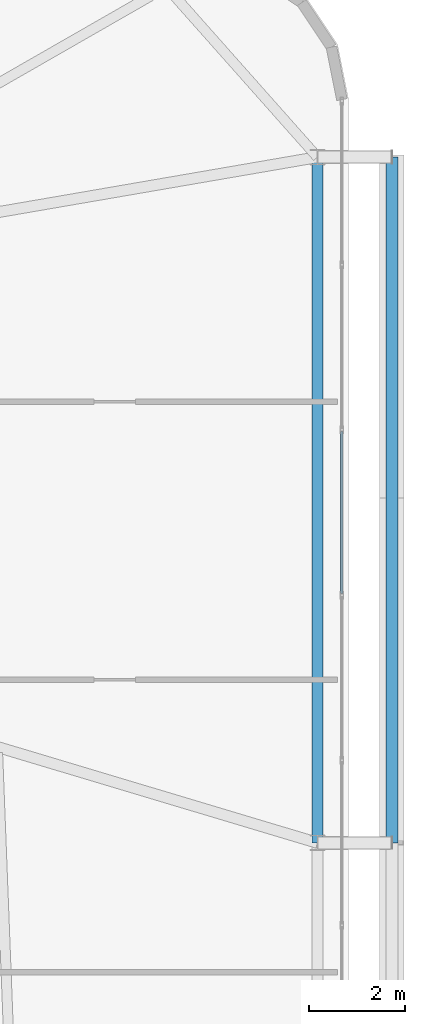
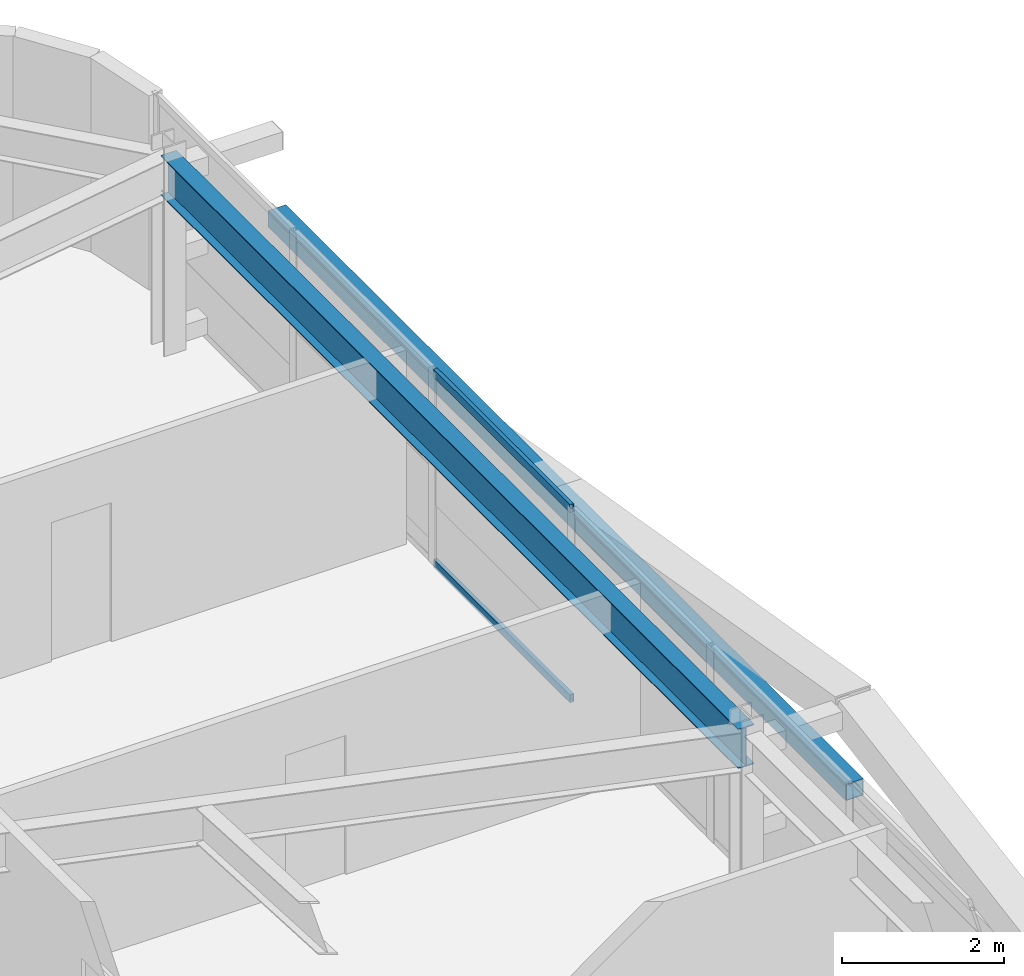
# One storey, part 31 of 59: 3 members, 1 beam, 1 element without a shape of its own.
"""IFC4 building model written with IfcOpenShell, lengths in metres."""

import ifcopenshell
import ifcopenshell.guid

model = None  # the IFC model being written
_history = None  # IfcOwnerHistory: only IFC2X3 demands one
_inside = {}  # id of a spatial element -> (the spatial element, [elements in it])
_under = {}  # id of a project, library or spatial element -> (it, [spatial elements below it])
_declared = {}  # id of a project -> (the project, [libraries it declares])
_typed = {}  # id of a type object -> (the type object, [elements of that type])
_made_of = {}  # id of a material, layer set ... -> (it, [elements and type objects made of it])


def new_model(schema):
    """Start an empty IFC model of exactly this schema.

    Asked for "IFC4X3", IfcOpenShell would pick the latest addendum, in which some entities
    have other attributes; the version numbers below select the first issue.
    IFC2X3 requires an IfcOwnerHistory on every rooted entity: one is made here for all.
    """
    global model, _history
    if schema == "IFC4X3":
        model = ifcopenshell.file(schema_version=(4, 3, 0, 0))
    else:
        model = ifcopenshell.file(schema=schema)
    _inside.clear()
    _under.clear()
    _declared.clear()
    _typed.clear()
    _made_of.clear()
    _history = None
    if model.schema == "IFC2X3":
        org = make("IfcOrganization", Name="unknown")
        user = make(
            "IfcPersonAndOrganization",
            ThePerson=make("IfcPerson", FamilyName="unknown"),
            TheOrganization=org,
        )
        app = make(
            "IfcApplication",
            ApplicationDeveloper=org,
            Version="unknown",
            ApplicationFullName="unknown",
            ApplicationIdentifier="unknown",
        )
        _history = make(
            "IfcOwnerHistory",
            OwningUser=user,
            OwningApplication=app,
            ChangeAction="ADDED",
            CreationDate=0,
        )
    return model


def make(cls, **values):
    """One entity of the class cls with the attributes given. An attribute that is None is left unset."""
    return model.create_entity(
        cls, **{name: value for name, value in values.items() if value is not None}
    )


def rooted(cls, **values):
    """An entity with a GlobalId (a new one), such as an element, a storey or a relation."""
    return make(cls, GlobalId=ifcopenshell.guid.new(), OwnerHistory=_history, **values)


def si_unit(unit_type, name, prefix=None):
    """IfcSIUnit, for example si_unit("LENGTHUNIT", "METRE", prefix="MILLI")."""
    return make("IfcSIUnit", UnitType=unit_type, Prefix=prefix, Name=name)


def assignment(units):
    """IfcUnitAssignment: the units of a project."""
    return None if units is None else make("IfcUnitAssignment", Units=units)


def point(xyz):
    """IfcCartesianPoint."""
    return None if xyz is None else make("IfcCartesianPoint", Coordinates=xyz)


def direction(xyz):
    """IfcDirection."""
    return None if xyz is None else make("IfcDirection", DirectionRatios=xyz)


def frame(location, z_axis=None, x_axis=None):
    """IfcAxis2Placement3D, a coordinate frame: its origin and axes. An axis left out is left unset."""
    return make(
        "IfcAxis2Placement3D",
        Location=point(location),
        Axis=direction(z_axis),
        RefDirection=direction(x_axis),
    )


def frame_2d(location, x_axis=None):
    """IfcAxis2Placement2D, a coordinate frame in the plane: its origin and x axis."""
    return make(
        "IfcAxis2Placement2D", Location=point(location), RefDirection=direction(x_axis)
    )


def origin():
    """The frame at (0, 0, 0) with its axes left unset."""
    return frame((0.0, 0.0, 0.0))


def origin_2d():
    """The frame at (0, 0) in the plane with its x axis left unset."""
    return frame_2d((0.0, 0.0))


def place(relative_to, where):
    """IfcLocalPlacement: puts the frame where relative to a parent placement (None: the world)."""
    return make(
        "IfcLocalPlacement", PlacementRelTo=relative_to, RelativePlacement=where
    )


def context(
    kind, dimensions, precision=None, world=None, true_north=None, identifier=None
):
    """IfcGeometricRepresentationContext, for example the 3D "Model" context."""
    return make(
        "IfcGeometricRepresentationContext",
        ContextIdentifier=identifier,
        ContextType=kind,
        CoordinateSpaceDimension=dimensions,
        Precision=precision,
        WorldCoordinateSystem=world,
        TrueNorth=true_north,
    )


def subcontext(parent, identifier, kind, view, scale=None):
    """IfcGeometricRepresentationSubContext, for example "Body" below "Model"."""
    return make(
        "IfcGeometricRepresentationSubContext",
        ContextIdentifier=identifier,
        ContextType=kind,
        ParentContext=parent,
        TargetScale=scale,
        TargetView=view,
    )


def project(units=None, contexts=None):
    """IfcProject with its units and contexts."""
    return rooted(
        "IfcProject",
        Name="project",
        RepresentationContexts=contexts,
        UnitsInContext=assignment(units),
    )


def spatial(cls, under=None, at=None, **own):
    """A site, building, storey or space (cls), placed at a placement, below another one or the project."""
    s = rooted(cls, ObjectPlacement=at, **own)
    if under is not None:
        _under.setdefault(under.id(), (under, []))[1].append(s)
    return s


def profile(cls, at=None, kind="AREA", **sizes):
    """A parametric profile (cls). Its sizes go by their IFC names, for example OverallWidth=200.0."""
    return make(cls, ProfileType=kind, Position=at, **sizes)


def hollow_rectangle(**sizes):
    """IfcRectangleHollowProfileDef."""
    return profile("IfcRectangleHollowProfileDef", **sizes)


def i_section(**sizes):
    """IfcIShapeProfileDef."""
    return profile("IfcIShapeProfileDef", **sizes)


def extrude(swept, where, along, depth):
    """IfcExtrudedAreaSolid: the profile swept, set in the frame where, extruded along a direction by depth."""
    return make(
        "IfcExtrudedAreaSolid",
        SweptArea=swept,
        Position=where,
        ExtrudedDirection=direction(along),
        Depth=depth,
    )


def shape(context_of_items, identifier, shape_type, items):
    """IfcShapeRepresentation: the items that make up one representation, for example the "Body"."""
    return make(
        "IfcShapeRepresentation",
        ContextOfItems=context_of_items,
        RepresentationIdentifier=identifier,
        RepresentationType=shape_type,
        Items=items,
    )


def source(mapping_origin, context_of_items, identifier, shape_type, items):
    """IfcRepresentationMap: a shape defined once, which mapped items show again and again."""
    return make(
        "IfcRepresentationMap",
        MappingOrigin=mapping_origin,
        MappedRepresentation=shape(context_of_items, identifier, shape_type, items),
    )


def transform(
    local_origin,
    x_axis=None,
    y_axis=None,
    z_axis=None,
    scale=None,
    scale2=None,
    scale3=None,
    uniform=True,
):
    """IfcCartesianTransformationOperator3D, or its non-uniform kind. x_axis, y_axis, z_axis: its Axis1, 2, 3."""
    if uniform:
        return make(
            "IfcCartesianTransformationOperator3D",
            Axis1=direction(x_axis),
            Axis2=direction(y_axis),
            LocalOrigin=point(local_origin),
            Scale=scale,
            Axis3=direction(z_axis),
        )
    return make(
        "IfcCartesianTransformationOperator3DnonUniform",
        Axis1=direction(x_axis),
        Axis2=direction(y_axis),
        LocalOrigin=point(local_origin),
        Scale=scale,
        Axis3=direction(z_axis),
        Scale2=scale2,
        Scale3=scale3,
    )


def mapped(mapping_source, mapping_target):
    """IfcMappedItem: shows the shape of a source again, moved by a transform."""
    return make(
        "IfcMappedItem", MappingSource=mapping_source, MappingTarget=mapping_target
    )


def material(Name=None, Category=None):
    """IfcMaterial."""
    return make("IfcMaterial", Name=Name, Category=Category)


def layer(
    of_material, thickness, ventilated=None, Name=None, Category=None, Priority=None
):
    """IfcMaterialLayer: one layer of a wall or slab, of a material (None: an air gap)."""
    return make(
        "IfcMaterialLayer",
        Material=of_material,
        LayerThickness=thickness,
        IsVentilated=ventilated,
        Name=Name,
        Category=Category,
        Priority=Priority,
    )


def layer_set(layers, Name=None):
    """IfcMaterialLayerSet."""
    return make("IfcMaterialLayerSet", MaterialLayers=layers, LayerSetName=Name)


def material_profile(
    of_material, cross_section, Name=None, Category=None, Priority=None
):
    """IfcMaterialProfile: a cross section and its material."""
    return make(
        "IfcMaterialProfile",
        Name=Name,
        Material=of_material,
        Profile=cross_section,
        Priority=Priority,
        Category=Category,
    )


def profile_set(profiles, Name=None, composite=None):
    """IfcMaterialProfileSet."""
    return make(
        "IfcMaterialProfileSet",
        Name=Name,
        MaterialProfiles=profiles,
        CompositeProfile=composite,
    )


def made_of(thing, what):
    """Note that an element or type object is made of a material, layer set ...; save() writes the relation."""
    if what is not None:
        _made_of.setdefault(what.id(), (what, []))[1].append(thing)
    return thing


def type_object(cls, material=None, **own):
    """A type object (cls), such as IfcWallType, which elements share."""
    return made_of(rooted(cls, **own), material)


def element(
    cls,
    number,
    at=None,
    inside=None,
    cuts=None,
    type_object=None,
    material=None,
    context=None,
    identifier="Body",
    shape_type=None,
    held_by="IfcProductDefinitionShape",
    body=None,
    shapes=None,
    **own,
):
    """One element of the class cls, such as IfcWall. Its Tag is "e" and its number.

    at: its placement. inside: the storey or other place that contains it. cuts: it is an
    opening in that element (IfcRelVoidsElement). A single representation is given by context,
    identifier, shape_type and body (its items); several are given by shapes. held_by: the class
    of the entity that holds the representations. save() writes the other relations.
    """
    e = rooted(cls, Tag="e%d" % number, ObjectPlacement=at, **own)
    if body is not None:
        shapes = [shape(context, identifier, shape_type, body)]
    if shapes is not None:
        e.Representation = make(held_by, Representations=shapes)
    if inside is not None:
        _inside.setdefault(inside.id(), (inside, []))[1].append(e)
    if cuts is not None:
        rooted(
            "IfcRelVoidsElement", RelatingBuildingElement=cuts, RelatedOpeningElement=e
        )
    if type_object is not None:
        _typed.setdefault(type_object.id(), (type_object, []))[1].append(e)
    return made_of(e, material)


def aggregate(whole, parts):
    """IfcRelAggregates: a whole, such as a stair, and the parts it consists of."""
    return rooted("IfcRelAggregates", RelatingObject=whole, RelatedObjects=parts)


def save(model, path):
    """Write the relations noted so far, then the file.

    IfcRelAggregates (storeys below a building ...), IfcRelContainedInSpatialStructure (elements
    in a storey), IfcRelDefinesByType, IfcRelAssociatesMaterial and IfcRelDeclares: one each for
    every whole, place, type object, material and project.
    """
    for whole, parts in _under.values():
        aggregate(whole, parts)
    for where, things in _inside.values():
        rooted(
            "IfcRelContainedInSpatialStructure",
            RelatedElements=things,
            RelatingStructure=where,
        )
    for kind, things in _typed.values():
        rooted("IfcRelDefinesByType", RelatedObjects=things, RelatingType=kind)
    for what, things in _made_of.values():
        rooted("IfcRelAssociatesMaterial", RelatedObjects=things, RelatingMaterial=what)
    for by, libraries in _declared.values():
        rooted("IfcRelDeclares", RelatingContext=by, RelatedDefinitions=libraries)
    model.write(path)


model = new_model("IFC4")

# Units and contexts
model_context = context("Model", 3, precision=1e-05, world=origin(), true_north=direction((0.0, 1.0)))
body_context = subcontext(model_context, "Body", "Model", "MODEL_VIEW")
ifc_project = project(units=[si_unit("LENGTHUNIT", "METRE"), si_unit("AREAUNIT", "SQUARE_METRE"), si_unit("VOLUMEUNIT", "CUBIC_METRE"), si_unit("PLANEANGLEUNIT", "RADIAN"), si_unit("MASSUNIT", "GRAM", prefix="KILO")], contexts=[model_context])

# Site, building, storey
site_placement = place(None, origin())
site = spatial("IfcSite", under=ifc_project, at=site_placement, CompositionType="ELEMENT")
building_placement = place(site_placement, origin())
building = spatial("IfcBuilding", under=site, at=building_placement, Name="Taldren Reach Tower", CompositionType="ELEMENT")
storey_placement = place(building_placement, frame((0.0, 0.0, 29.39990234375)))
storey = spatial("IfcBuildingStorey", under=building, at=storey_placement, Name="L08", CompositionType="ELEMENT", Elevation=29.39990234375)

# Beam
ifc_material_1 = material(Name="Steel Gr 350 (350PLUS)", Category="steel")
ifc_material_profile_1 = material_profile(ifc_material_1, i_section(OverallWidth=0.22802734375, OverallDepth=0.60205078125, WebThickness=0.010498046875, FlangeThickness=0.014892578125, at=origin_2d()), Name="610UB101")
ifc_profile_set_1 = profile_set([ifc_material_profile_1], Name="Steel Gr 350 (350PLUS)")
beam_type = type_object("IfcBeamType", Name="BM-UB610B", PredefinedType="BEAM", material=ifc_profile_set_1)
shared_shape_1 = source(origin(), body_context, "Body", "SweptSolid", [
    extrude(i_section(OverallWidth=0.22802734375, OverallDepth=0.60205078125, WebThickness=0.010498046875, FlangeThickness=0.014892578125, at=origin_2d()), origin(), (0.0, 0.0, 1.0), 14.300048828125),
])
beam_placement = place(storey_placement, frame((64.35009765625, 20.0, 2.629150390625), z_axis=(0.0, 1.0, 0.0), x_axis=(-1.0, 0.0, 0.0)))
element("IfcBeam", 1, at=beam_placement, inside=storey, type_object=beam_type, Name="Perimeter gable girder B1 E2-E3 L08", PredefinedType="BEAM", context=body_context, shape_type="MappedRepresentation", body=[
    mapped(shared_shape_1, transform((0.0, 0.0, 0.0), scale=1.0)),
])

# Member
ifc_material_2 = material(Name="Steel Gr 350 (C350L0)", Category="steel")
ifc_material_profile_2 = material_profile(ifc_material_2, hollow_rectangle(XDim=0.25, YDim=0.25, WallThickness=0.010009765625, at=origin_2d()), Name="250x250x10.0SHS")
ifc_profile_set_2 = profile_set([ifc_material_profile_2], Name="Steel Gr 350 (C350L0)")
member_type_1 = type_object("IfcMemberType", Name="MB-POST250", PredefinedType="POST", material=ifc_profile_set_2)
shared_shape_2 = source(origin(), body_context, "Body", "SweptSolid", [
    extrude(hollow_rectangle(XDim=0.25, YDim=0.25, WallThickness=0.010009765625, at=origin_2d()), origin(), (0.0, 0.0, 1.0), 14.300048828125),
])
member_1_placement = place(storey_placement, frame((65.89990234375, 20.0, 1.43505859375), z_axis=(0.0, 1.0, 0.0), x_axis=(-1.0, 0.0, 0.0)))
element("IfcMember", 2, at=member_1_placement, inside=storey, type_object=member_type_1, Name="Exoskeleton mid-height ring chord B1-E2 L08", PredefinedType="POST", context=body_context, shape_type="MappedRepresentation", body=[
    mapped(shared_shape_2, transform((0.0, 0.0, 0.0), scale=1.0)),
])

# Curtain wall, members
ifc_material_3 = material(Name="Aluminium and Low-E Glass Unitised System", Category="aluminium")
ifc_layer = layer(ifc_material_3, 0.159912109375)
ifc_layer_set = layer_set([ifc_layer], Name="Aluminium and Low-E Glass Unitised System")
curtain_wall_type = type_object("IfcCurtainWallType", Name="CW-SYS-2", PredefinedType="NOTDEFINED", material=ifc_layer_set)
curtain_wall_placement = place(storey_placement, origin())
curtain_wall = element("IfcCurtainWall", 3, at=curtain_wall_placement, inside=storey, type_object=curtain_wall_type, Name="Unitised curtain wall CW-L08-E", PredefinedType="NOTDEFINED")
ifc_material_4 = material(Name="Anodised Aluminium 6063-T6", Category="aluminium")
ifc_material_profile_3 = material_profile(ifc_material_4, hollow_rectangle(XDim=0.054931640625, YDim=0.1201171875, WallThickness=0.0029296875, at=origin_2d()), Name="ALU-120x55x3RHS")
ifc_profile_set_3 = profile_set([ifc_material_profile_3], Name="Anodised Aluminium 6063-T6")
member_type_2 = type_object("IfcMemberType", Name="CW-TRN-135", PredefinedType="USERDEFINED", material=ifc_profile_set_3)
shared_shape_3 = source(origin(), body_context, "Body", "SweptSolid", [
    extrude(hollow_rectangle(XDim=0.054931640625, YDim=0.1201171875, WallThickness=0.0029296875, at=origin_2d()), origin(), (0.0, 0.0, 1.0), 3.37939453125),
])
member_2_placement = place(storey_placement, frame((64.860107421875, 25.19921875, 0.027587890625), z_axis=(0.0, 1.0, 0.0), x_axis=(-1.0, 0.0, 0.0)))
member_2 = element("IfcMember", 4, at=member_2_placement, type_object=member_type_2, Name="CW-2 transom 7.1", ObjectType="TRANSOM", PredefinedType="USERDEFINED", context=body_context, shape_type="MappedRepresentation", body=[
    mapped(shared_shape_3, transform((0.0, 0.0, 0.0), scale=1.0)),
])
member_3_placement = place(storey_placement, frame((64.860107421875, 25.19921875, 2.902587890625), z_axis=(0.0, 1.0, 0.0), x_axis=(-1.0, 0.0, 0.0)))
member_3 = element("IfcMember", 5, at=member_3_placement, type_object=member_type_2, Name="CW-2 transom 7.2", ObjectType="TRANSOM", PredefinedType="USERDEFINED", context=body_context, shape_type="MappedRepresentation", body=[
    mapped(shared_shape_3, transform((0.0, 0.0, 0.0), scale=1.0)),
])
aggregate(curtain_wall, [member_2, member_3])

save(model, "model.ifc")
